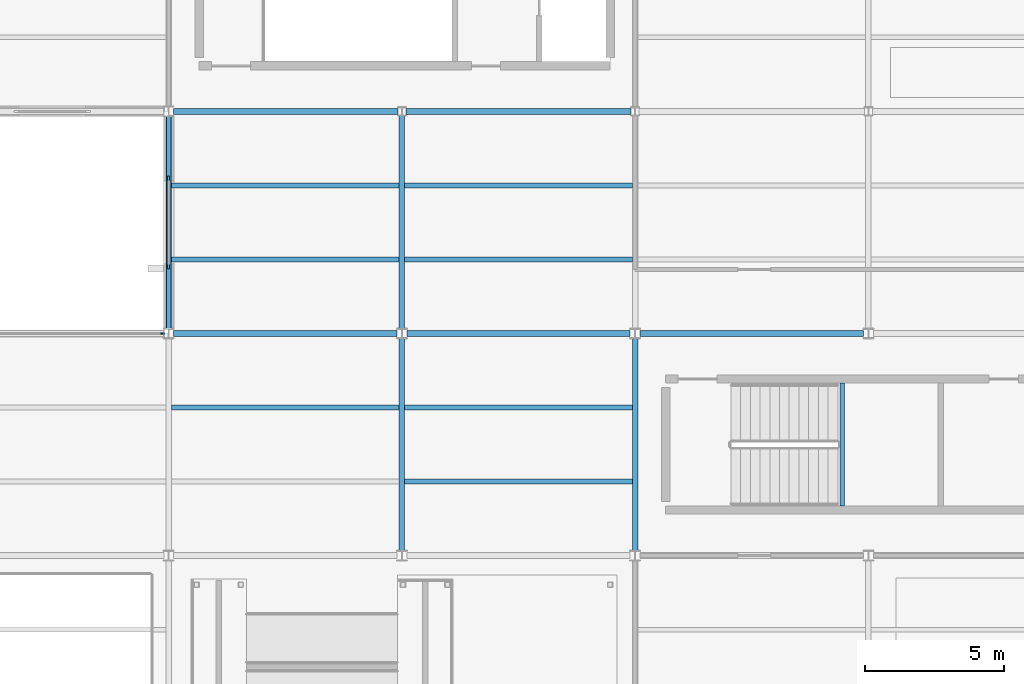
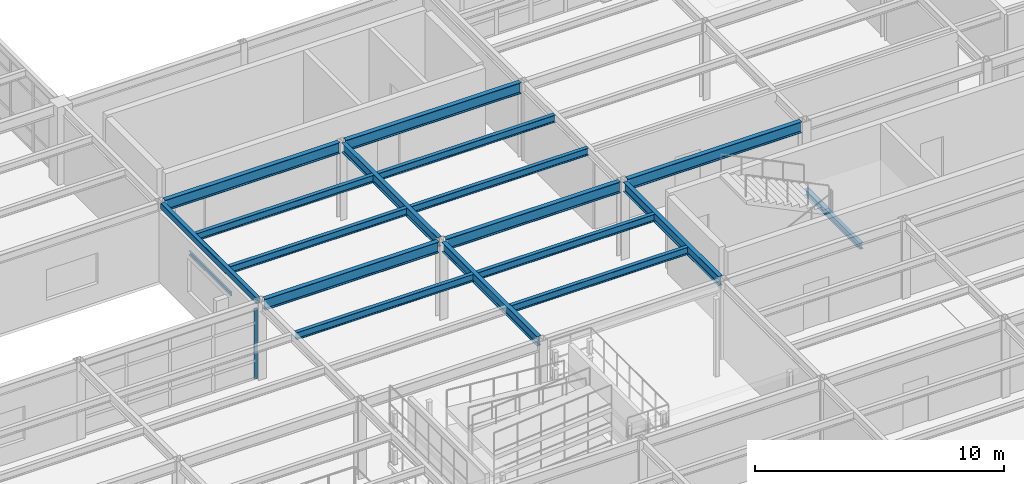
# One storey, part 26 of 138: 18 beams, 1 member, 1 element without a shape of its own.
"""IFC4 building model written with IfcOpenShell, lengths in metres."""

from ifc_helpers import new_model, si_unit, direction, frame, origin, origin_2d, place, context, subcontext, project, spatial, rectangle, hollow_rectangle, i_section, u_section, extrude, material, layer, layer_set, material_profile, profile_set, type_object, element, aggregate, save


model = new_model("IFC4")

# Units and contexts
model_context = context("Model", 3, precision=1e-05, world=origin(), true_north=direction((0.0, 1.0)))
body_context = subcontext(model_context, "Body", "Model", "MODEL_VIEW")
ifc_project = project(units=[si_unit("LENGTHUNIT", "METRE"), si_unit("AREAUNIT", "SQUARE_METRE"), si_unit("VOLUMEUNIT", "CUBIC_METRE"), si_unit("PLANEANGLEUNIT", "RADIAN"), si_unit("MASSUNIT", "GRAM", prefix="KILO")], contexts=[model_context])

# Site, building, storey
site_placement = place(None, origin())
site = spatial("IfcSite", under=ifc_project, at=site_placement, CompositionType="ELEMENT")
building_placement = place(site_placement, origin())
building = spatial("IfcBuilding", under=site, at=building_placement, Name="Kranzveld Transit Interchange", CompositionType="ELEMENT")
storey_placement = place(building_placement, frame((0.0, 0.0, 5.43994140625)))
storey = spatial("IfcBuildingStorey", under=building, at=storey_placement, Name="L01", CompositionType="ELEMENT", Elevation=5.43994140625)

# Beams
ifc_material_1 = material(Name="Steel S355JR", Category="steel")
ifc_material_profile_1 = material_profile(ifc_material_1, i_section(OverallWidth=0.19189453125, OverallDepth=0.46337890625, WebThickness=0.010498046875, FlangeThickness=0.017578125, FilletRadius=0.01025390625, at=origin_2d()), Name="UB 457x191x89")
ifc_profile_set_1 = profile_set([ifc_material_profile_1], Name="Steel S355JR")
beam_type_1 = type_object("IfcBeamType", Name="Beam Steel UB 457x191x89 S355JR", PredefinedType="BEAM", material=ifc_profile_set_1)
beam_1_placement = place(storey_placement, frame((42.0, 32.17724609375, 3.568359375), z_axis=(0.0, 1.0, 0.0), x_axis=(-1.0, 0.0, 0.0)))
element("IfcBeam", 1, at=beam_1_placement, inside=storey, type_object=beam_type_1, Name="L01 Girder 06/E-F", PredefinedType="BEAM", context=body_context, shape_type="SweptSolid", body=[
    extrude(i_section(OverallWidth=0.19189453125, OverallDepth=0.46337890625, WebThickness=0.010498046875, FlangeThickness=0.017578125, FilletRadius=0.01025390625, at=origin_2d()), origin(), (0.0, 0.0, 1.0), 7.6455078125),
])
beam_2_placement = place(storey_placement, frame((42.0, 40.17724609375, 3.568359375), z_axis=(0.0, 1.0, 0.0), x_axis=(-1.0, 0.0, 0.0)))
element("IfcBeam", 2, at=beam_2_placement, inside=storey, type_object=beam_type_1, Name="L01 Girder 06/F-G", PredefinedType="BEAM", context=body_context, shape_type="SweptSolid", body=[
    extrude(i_section(OverallWidth=0.19189453125, OverallDepth=0.46337890625, WebThickness=0.010498046875, FlangeThickness=0.017578125, FilletRadius=0.01025390625, at=origin_2d()), origin(), (0.0, 0.0, 1.0), 7.672607421875),
])
beam_3_placement = place(storey_placement, frame((50.39990234375, 32.17724609375, 3.568359375), z_axis=(0.0, 1.0, 0.0), x_axis=(-1.0, 0.0, 0.0)))
element("IfcBeam", 3, at=beam_3_placement, inside=storey, type_object=beam_type_1, Name="L01 Girder 07/E-F", PredefinedType="BEAM", context=body_context, shape_type="SweptSolid", body=[
    extrude(i_section(OverallWidth=0.19189453125, OverallDepth=0.46337890625, WebThickness=0.010498046875, FlangeThickness=0.017578125, FilletRadius=0.01025390625, at=origin_2d()), origin(), (0.0, 0.0, 1.0), 7.6455078125),
])

# Curtain wall, member
ifc_material_2 = material(Name="Bronze-anodised thermally broken aluminium", Category="aluminium")
ifc_layer = layer(ifc_material_2, 0.159912109375)
ifc_layer_set = layer_set([ifc_layer], Name="Bronze-anodised thermally broken aluminium")
curtain_wall_type = type_object("IfcCurtainWallType", Name="Bus Boarding Glazed Screen CW-3", PredefinedType="USERDEFINED", material=ifc_layer_set)
curtain_wall_placement = place(storey_placement, origin())
curtain_wall = element("IfcCurtainWall", 4, at=curtain_wall_placement, inside=storey, type_object=curtain_wall_type, Name="L01 Curtain Wall 04/F-05/F", ObjectType="CURTAIN WALL", PredefinedType="USERDEFINED")
ifc_material_3 = material(Name="Bronze-anodised thermally broken aluminium", Category="aluminium")
ifc_material_profile_2 = material_profile(ifc_material_3, rectangle(XDim=0.06005859375, YDim=0.14990234375, at=origin_2d()), Name="ALU MULLION 60x150")
ifc_profile_set_2 = profile_set([ifc_material_profile_2], Name="Bronze-anodised thermally broken aluminium")
member_type = type_object("IfcMemberType", Name="Curtain Wall Mullion 60x150 Alu", PredefinedType="MULLION", material=ifc_profile_set_2)
member_placement = place(storey_placement, frame((33.3828125, 40.0, 0.0), z_axis=(0.0, 0.0, 1.0), x_axis=(0.0, 1.0, 0.0)))
member = element("IfcMember", 5, at=member_placement, type_object=member_type, Name="CW-3 mullion 5", PredefinedType="MULLION", context=body_context, shape_type="SweptSolid", body=[
    extrude(rectangle(XDim=0.06005859375, YDim=0.14990234375, at=origin_2d()), origin(), (0.0, 0.0, 1.0), 3.449951171875),
])
aggregate(curtain_wall, [member])

# Beams
ifc_material_4 = material(Name="Steel S355JR", Category="steel")
ifc_material_profile_3 = material_profile(ifc_material_4, hollow_rectangle(XDim=0.199951171875, YDim=0.300048828125, WallThickness=0.010009765625, InnerFilletRadius=0.014892578125, OuterFilletRadius=0.02490234375, at=origin_2d()), Name="RHS 300x200x10")
ifc_profile_set_3 = profile_set([ifc_material_profile_3], Name="Steel S355JR")
beam_type_2 = type_object("IfcBeamType", Name="Edge Spandrel RHS 300x200x10 S355JR", PredefinedType="SPANDREL", material=ifc_profile_set_3)
beam_4_placement = place(storey_placement, frame((33.60009765625, 40.17724609375, 3.650146484375), z_axis=(0.0, 1.0, 0.0), x_axis=(-1.0, 0.0, 0.0)))
element("IfcBeam", 6, at=beam_4_placement, inside=storey, type_object=beam_type_2, Name="L01 Girder 05/F-G", PredefinedType="SPANDREL", context=body_context, shape_type="SweptSolid", body=[
    extrude(hollow_rectangle(XDim=0.199951171875, YDim=0.300048828125, WallThickness=0.010009765625, InnerFilletRadius=0.014892578125, OuterFilletRadius=0.02490234375, at=origin_2d()), origin(), (0.0, 0.0, 1.0), 7.6455078125),
])
ifc_material_5 = material(Name="Steel S355JR", Category="steel")
ifc_material_profile_4 = material_profile(ifc_material_5, i_section(OverallWidth=0.172119140625, OverallDepth=0.35791015625, WebThickness=0.008056640625, FlangeThickness=0.012939453125, FilletRadius=0.01025390625, at=origin_2d()), Name="UB 356x171x57")
ifc_profile_set_4 = profile_set([ifc_material_profile_4], Name="Steel S355JR")
beam_type_3 = type_object("IfcBeamType", Name="Floor Joist UB 356x171x57 S355JR", PredefinedType="JOIST", material=ifc_profile_set_4)
beam_5_placement = place(storey_placement, frame((33.697998046875, 37.333251953125, 3.62109375), z_axis=(1.0, 0.0, 0.0), x_axis=(0.0, 1.0, 0.0)))
element("IfcBeam", 7, at=beam_5_placement, inside=storey, type_object=beam_type_3, Name="L01 Secondary Joist 05-06/E.2", PredefinedType="JOIST", context=body_context, shape_type="SweptSolid", body=[
    extrude(i_section(OverallWidth=0.172119140625, OverallDepth=0.35791015625, WebThickness=0.008056640625, FlangeThickness=0.012939453125, FilletRadius=0.01025390625, at=origin_2d()), origin(), (0.0, 0.0, 1.0), 8.2041015625),
])
for number, where, z_axis, x_axis, name in (
    (8, (33.701904296875, 42.666748046875, 3.62109375), (1.0, 0.0, 0.0), (0.0, 1.0, 0.0), "L01 Secondary Joist 05-06/F.1"),
    (9, (33.701904296875, 45.333251953125, 3.62109375), (1.0, 0.0, 0.0), (0.0, 1.0, 0.0), "L01 Secondary Joist 05-06/F.2"),
):
    element("IfcBeam", number, at=place(storey_placement, frame(where, z_axis=z_axis, x_axis=x_axis)), inside=storey, type_object=beam_type_3, Name=name, PredefinedType="JOIST", context=body_context, shape_type="SweptSolid", body=[
        extrude(i_section(OverallWidth=0.172119140625, OverallDepth=0.35791015625, WebThickness=0.008056640625, FlangeThickness=0.012939453125, FilletRadius=0.01025390625, at=origin_2d()), origin(), (0.0, 0.0, 1.0), 8.2001953125),
    ])
for number, where, z_axis, x_axis, name in (
    (10, (42.097900390625, 34.666748046875, 3.62109375), (1.0, 0.0, 0.0), (0.0, 1.0, 0.0), "L01 Secondary Joist 06-07/E.1"),
    (11, (42.097900390625, 37.333251953125, 3.62109375), (1.0, 0.0, 0.0), (0.0, 1.0, 0.0), "L01 Secondary Joist 06-07/E.2"),
    (12, (42.097900390625, 42.666748046875, 3.62109375), (1.0, 0.0, 0.0), (0.0, 1.0, 0.0), "L01 Secondary Joist 06-07/F.1"),
    (13, (42.097900390625, 45.333251953125, 3.62109375), (1.0, 0.0, 0.0), (0.0, 1.0, 0.0), "L01 Secondary Joist 06-07/F.2"),
):
    element("IfcBeam", number, at=place(storey_placement, frame(where, z_axis=z_axis, x_axis=x_axis)), inside=storey, type_object=beam_type_3, Name=name, PredefinedType="JOIST", context=body_context, shape_type="SweptSolid", body=[
        extrude(i_section(OverallWidth=0.172119140625, OverallDepth=0.35791015625, WebThickness=0.008056640625, FlangeThickness=0.012939453125, FilletRadius=0.01025390625, at=origin_2d()), origin(), (0.0, 0.0, 1.0), 8.2041015625),
    ])
ifc_material_6 = material(Name="Steel S355JR", Category="steel")
ifc_material_profile_5 = material_profile(ifc_material_6, i_section(OverallWidth=0.210693359375, OverallDepth=0.53955078125, WebThickness=0.01171875, FlangeThickness=0.018798828125, FilletRadius=0.0126953125, at=origin_2d()), Name="UB 533x210x109")
ifc_profile_set_5 = profile_set([ifc_material_profile_5], Name="Steel S355JR")
beam_type_4 = type_object("IfcBeamType", Name="Girder Steel UB 533x210x109 S355JR", PredefinedType="BEAM", material=ifc_profile_set_5)
for number, where, z_axis, x_axis, name in (
    (14, (33.77734375, 40.0, 3.5302734375), (1.0, 0.0, 0.0), (0.0, 1.0, 0.0), "L01 Girder 05-06/F"),
    (15, (42.17724609375, 40.0, 3.5302734375), (1.0, 0.0, 0.0), (0.0, 1.0, 0.0), "L01 Girder 06-07/F"),
    (16, (50.577392578125, 40.0, 3.5302734375), (1.0, 0.0, 0.0), (0.0, 1.0, 0.0), "L01 Girder 07-08/F"),
):
    element("IfcBeam", number, at=place(storey_placement, frame(where, z_axis=z_axis, x_axis=x_axis)), inside=storey, type_object=beam_type_4, Name=name, PredefinedType="BEAM", context=body_context, shape_type="SweptSolid", body=[
        extrude(i_section(OverallWidth=0.210693359375, OverallDepth=0.53955078125, WebThickness=0.01171875, FlangeThickness=0.018798828125, FilletRadius=0.0126953125, at=origin_2d()), origin(), (0.0, 0.0, 1.0), 8.04541015625),
    ])
beam_6_placement = place(storey_placement, frame((33.77734375, 48.0, 3.5302734375), z_axis=(1.0, 0.0, 0.0), x_axis=(0.0, 1.0, 0.0)))
element("IfcBeam", 17, at=beam_6_placement, inside=storey, type_object=beam_type_4, Name="L01 Girder 05-06/G", PredefinedType="BEAM", context=body_context, shape_type="SweptSolid", body=[
    extrude(i_section(OverallWidth=0.210693359375, OverallDepth=0.53955078125, WebThickness=0.01171875, FlangeThickness=0.018798828125, FilletRadius=0.0126953125, at=origin_2d()), origin(), (0.0, 0.0, 1.0), 8.078125),
])
beam_7_placement = place(storey_placement, frame((42.14453125, 48.0, 3.5302734375), z_axis=(1.0, 0.0, 0.0), x_axis=(0.0, 1.0, 0.0)))
element("IfcBeam", 18, at=beam_7_placement, inside=storey, type_object=beam_type_4, Name="L01 Girder 06-07/G", PredefinedType="BEAM", context=body_context, shape_type="SweptSolid", body=[
    extrude(i_section(OverallWidth=0.210693359375, OverallDepth=0.53955078125, WebThickness=0.01171875, FlangeThickness=0.018798828125, FilletRadius=0.0126953125, at=origin_2d()), origin(), (0.0, 0.0, 1.0), 8.11083984375),
])
ifc_material_7 = material(Name="Steel S355JR", Category="steel")
ifc_material_profile_6 = material_profile(ifc_material_7, u_section(Depth=0.199951171875, FlangeWidth=0.074951171875, WebThickness=0.006103515625, FlangeThickness=0.012451171875, FilletRadius=0.011962890625, at=origin_2d()), Name="PFC 200x75x23")
ifc_profile_set_6 = profile_set([ifc_material_profile_6], Name="Steel S355JR")
beam_type_5 = type_object("IfcBeamType", Name="Masonry Lintel PFC 200x75x23 S355JR", PredefinedType="LINTEL", material=ifc_profile_set_6)
beam_8_placement = place(storey_placement, frame((33.60009765625, 42.320068359375, 2.655029296875), z_axis=(0.0, 1.0, 0.0), x_axis=(-1.0, 0.0, 0.0)))
element("IfcBeam", 19, at=beam_8_placement, inside=storey, type_object=beam_type_5, Name="L01 Window Lintel 064", PredefinedType="LINTEL", context=body_context, shape_type="SweptSolid", body=[
    extrude(u_section(Depth=0.199951171875, FlangeWidth=0.074951171875, WebThickness=0.006103515625, FlangeThickness=0.012451171875, FilletRadius=0.011962890625, at=origin_2d()), origin(), (0.0, 0.0, 1.0), 3.35986328125),
])
ifc_material_8 = material(Name="Steel S355JR", Category="steel")
ifc_material_profile_7 = material_profile(ifc_material_8, i_section(OverallWidth=0.165771484375, OverallDepth=0.306640625, WebThickness=0.006591796875, FlangeThickness=0.01171875, FilletRadius=0.0087890625, at=origin_2d()), Name="UB 305x165x46")
ifc_profile_set_7 = profile_set([ifc_material_profile_7], Name="Steel S355JR")
beam_type_6 = type_object("IfcBeamType", Name="Roof Joist UB 305x165x46 S355JR", PredefinedType="JOIST", material=ifc_profile_set_7)
beam_9_placement = place(storey_placement, frame((57.860107421875, 33.780029296875, 1.686767578125), z_axis=(0.0, 1.0, 0.0), x_axis=(-1.0, 0.0, 0.0)))
element("IfcBeam", 20, at=beam_9_placement, inside=storey, type_object=beam_type_6, Name="L01 ST-M2 Half-Landing Support Beam", PredefinedType="BEAM", context=body_context, shape_type="SweptSolid", body=[
    extrude(i_section(OverallWidth=0.165771484375, OverallDepth=0.306640625, WebThickness=0.006591796875, FlangeThickness=0.01171875, FilletRadius=0.0087890625, at=origin_2d()), origin(), (0.0, 0.0, 1.0), 4.43994140625),
])

save(model, "model.ifc")
